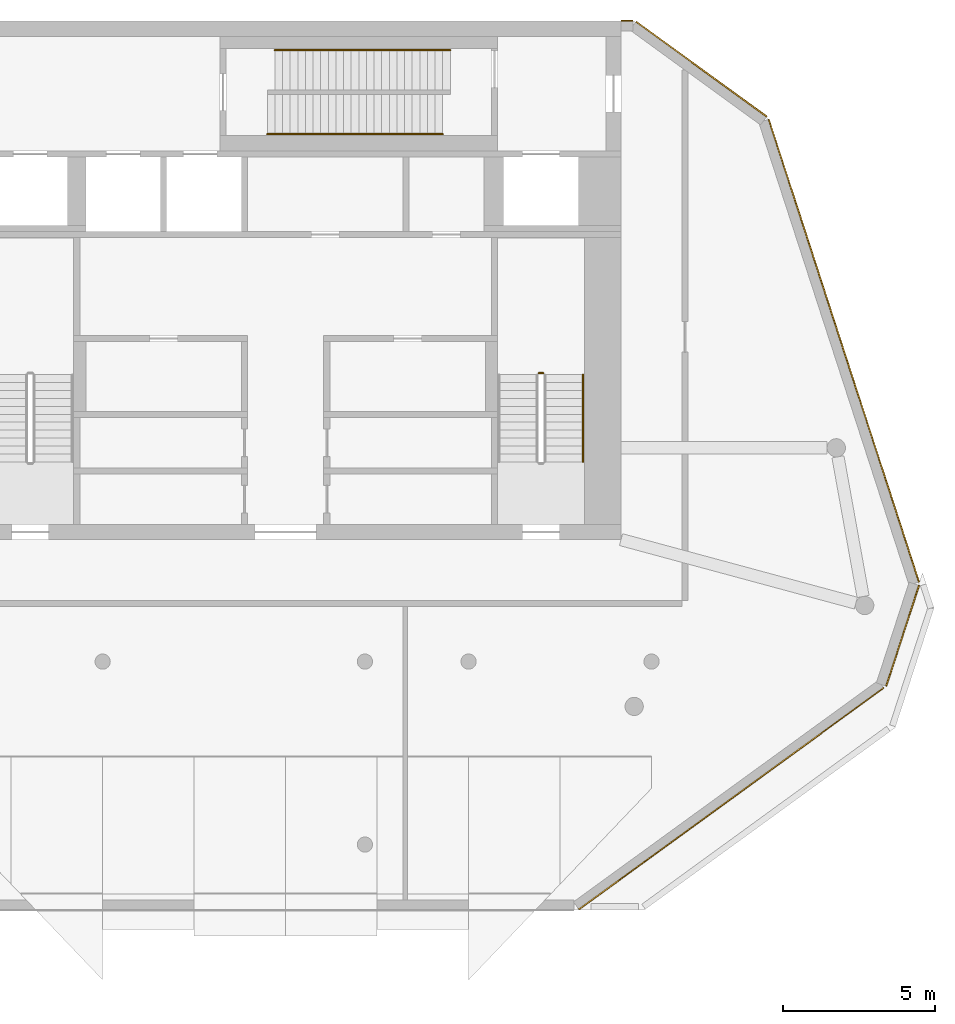
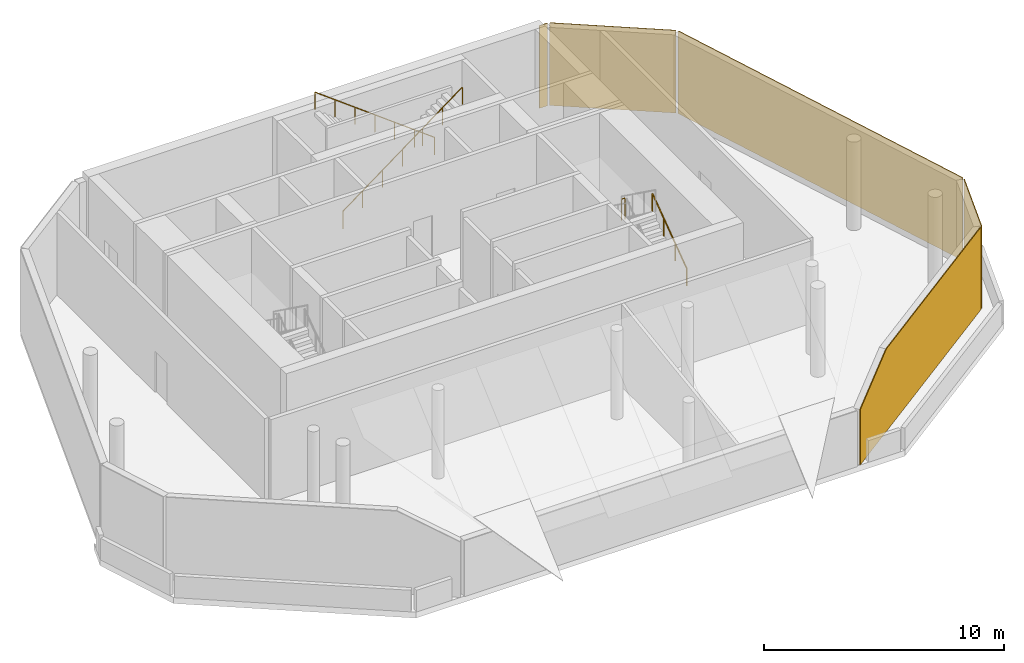
# One storey, part 7 of 7: 5 coverings, 4 railings.
"""IFC4 building model written with IfcOpenShell, lengths in metres."""

from ifc_helpers import new_model, si_unit, direction, frame, origin, origin_2d, place, context, subcontext, project, spatial, polyline, circle, outline, extrude, material, layer, layer_set, type_object, element, save


model = new_model("IFC4")

# Units and contexts
model_context = context("Model", 3, precision=1e-05, world=origin(), true_north=direction((0.0, 1.0)))
body_context = subcontext(model_context, "Body", "Model", "MODEL_VIEW")
ifc_project = project(units=[si_unit("LENGTHUNIT", "METRE"), si_unit("AREAUNIT", "SQUARE_METRE"), si_unit("VOLUMEUNIT", "CUBIC_METRE"), si_unit("PLANEANGLEUNIT", "RADIAN"), si_unit("MASSUNIT", "GRAM", prefix="KILO")], contexts=[model_context])

# Site, building, storey
site_placement = place(None, origin())
site = spatial("IfcSite", under=ifc_project, at=site_placement, CompositionType="ELEMENT")
building_placement = place(site_placement, origin())
building = spatial("IfcBuilding", under=site, at=building_placement, Name="White Candle Pilgrim Tower", CompositionType="ELEMENT")
storey_placement = place(building_placement, frame((0.0, 0.0, 333.199951171875)))
storey = spatial("IfcBuildingStorey", under=building, at=storey_placement, Name="L78", CompositionType="ELEMENT", Elevation=333.199951171875)

# Railings
ifc_material_1 = material(Name="Stainless steel", Category="steel")
railing_type_1 = type_object("IfcRailingType", Name="Stair guard stainless steel 1100 mm", PredefinedType="GUARDRAIL", material=ifc_material_1)
railing_1_placement = place(storey_placement, frame((78.449951171875, 76.4599609375, 2.25)))
element("IfcRailing", 1, at=railing_1_placement, inside=storey, type_object=railing_type_1, Name="L78 ST2 stair guard 2", PredefinedType="GUARDRAIL", context=body_context, shape_type="SweptSolid", body=[
    extrude(circle(Radius=0.02392578125, at=origin_2d()), frame((0.0, 0.0, 1.076171875), z_axis=(-1.0, 0.0, 0.0), x_axis=(0.0, -1.0, 0.0)), (0.0, 0.0, 1.0), 0.14990234375),
    extrude(circle(Radius=0.02099609375, at=origin_2d()), origin(), (0.0, 0.0, 1.0), 1.052001953125),
    extrude(circle(Radius=0.02099609375, at=origin_2d()), frame((-0.14990234375, 0.0, 0.0)), (0.0, 0.0, 1.0), 1.052001953125),
])
railing_type_2 = type_object("IfcRailingType", Name="Stair handrail stainless steel", PredefinedType="HANDRAIL", material=ifc_material_1)
railing_2_placement = place(storey_placement, frame((79.75, 73.550048828125, 0.1875)))
element("IfcRailing", 2, at=railing_2_placement, inside=storey, type_object=railing_type_2, Name="L78 ST2 stair handrail 1", PredefinedType="HANDRAIL", context=body_context, shape_type="SweptSolid", body=[
    extrude(circle(Radius=0.02392578125, at=origin_2d()), frame((0.0, 0.0, 0.8759765625), z_axis=(0.0, 0.811077065594, 0.584939307678), x_axis=(-1.0, 0.0, 0.0)), (0.0, 0.0, 1.0), 3.526123046875),
    extrude(circle(Radius=0.02099609375, at=origin_2d()), origin(), (0.0, 0.0, 1.0), 0.851806640625),
    extrude(circle(Radius=0.02099609375, at=origin_2d()), frame((0.0, 0.953369140625, 0.6875)), (0.0, 0.0, 1.0), 0.851806640625),
    extrude(circle(Radius=0.02099609375, at=origin_2d()), frame((0.0, 1.906494140625, 1.375)), (0.0, 0.0, 1.0), 0.851806640625),
    extrude(circle(Radius=0.02099609375, at=origin_2d()), frame((0.0, 2.85986328125, 2.0625)), (0.0, 0.0, 1.0), 0.851806640625),
])
railing_3_placement = place(storey_placement, frame((69.39990234375, 84.300048828125, 0.1875)))
element("IfcRailing", 3, at=railing_3_placement, inside=storey, type_object=railing_type_2, Name="L78 ST12 stair handrail 1", PredefinedType="HANDRAIL", context=body_context, shape_type="SweptSolid", body=[
    extrude(circle(Radius=0.02392578125, at=origin_2d()), frame((0.0, 0.0, 0.8759765625), z_axis=(0.8, 0.0, 0.6), x_axis=(0.0, 1.0, 0.0)), (0.0, 0.0, 1.0), 7.1875),
    extrude(circle(Radius=0.02099609375, at=origin_2d()), origin(), (0.0, 0.0, 1.0), 0.851806640625),
    extrude(circle(Radius=0.02099609375, at=origin_2d()), frame((0.958251953125, 0.0, 0.71875)), (0.0, 0.0, 1.0), 0.851806640625),
    extrude(circle(Radius=0.02099609375, at=origin_2d()), frame((1.916748046875, 0.0, 1.4375)), (0.0, 0.0, 1.0), 0.851806640625),
    extrude(circle(Radius=0.02099609375, at=origin_2d()), frame((2.875, 0.0, 2.15625)), (0.0, 0.0, 1.0), 0.851806640625),
    extrude(circle(Radius=0.02099609375, at=origin_2d()), frame((3.833251953125, 0.0, 2.875)), (0.0, 0.0, 1.0), 0.851806640625),
    extrude(circle(Radius=0.02099609375, at=origin_2d()), frame((4.791748046875, 0.0, 3.59375)), (0.0, 0.0, 1.0), 0.851806640625),
    extrude(circle(Radius=0.02099609375, at=origin_2d()), frame((5.75, 0.0, 4.3125)), (0.0, 0.0, 1.0), 0.851806640625),
])
railing_4_placement = place(storey_placement, frame((75.39990234375, 87.050048828125, 0.1875)))
element("IfcRailing", 4, at=railing_4_placement, inside=storey, type_object=railing_type_2, Name="L78 ST12 stair handrail 1", PredefinedType="HANDRAIL", context=body_context, shape_type="SweptSolid", body=[
    extrude(circle(Radius=0.02392578125, at=origin_2d()), frame((0.0, 0.0, 0.8759765625), z_axis=(-0.8, 0.0, 0.6), x_axis=(0.0, -1.0, 0.0)), (0.0, 0.0, 1.0), 7.1875),
    extrude(circle(Radius=0.02099609375, at=origin_2d()), origin(), (0.0, 0.0, 1.0), 0.851806640625),
    extrude(circle(Radius=0.02099609375, at=origin_2d()), frame((-0.958251953125, 0.0, 0.71875)), (0.0, 0.0, 1.0), 0.851806640625),
    extrude(circle(Radius=0.02099609375, at=origin_2d()), frame((-1.916748046875, 0.0, 1.4375)), (0.0, 0.0, 1.0), 0.851806640625),
    extrude(circle(Radius=0.02099609375, at=origin_2d()), frame((-2.875, 0.0, 2.15625)), (0.0, 0.0, 1.0), 0.851806640625),
    extrude(circle(Radius=0.02099609375, at=origin_2d()), frame((-3.833251953125, 0.0, 2.875)), (0.0, 0.0, 1.0), 0.851806640625),
    extrude(circle(Radius=0.02099609375, at=origin_2d()), frame((-4.791748046875, 0.0, 3.59375)), (0.0, 0.0, 1.0), 0.851806640625),
    extrude(circle(Radius=0.02099609375, at=origin_2d()), frame((-5.75, 0.0, 4.3125)), (0.0, 0.0, 1.0), 0.851806640625),
])

# Coverings
ifc_material_2 = material(Name="Zinc standing seam")
ifc_layer = layer(ifc_material_2, 0.0400390625)
ifc_layer_set = layer_set([ifc_layer], Name="Zinc wall cladding CL3 40")
covering_type = type_object("IfcCoveringType", Name="Zinc wall cladding CL3 40", PredefinedType="CLADDING", material=ifc_layer_set)
covering_1_placement = place(storey_placement, frame((79.627685546875, 58.86181640625, 2.814697265625), z_axis=(0.587780856645, -0.809020187961, 5.680642e-06), x_axis=(0.717661477873, 0.521408868198, 0.461621918178)))
element("IfcCovering", 5, at=covering_1_placement, inside=storey, type_object=covering_type, Name="Zinc wall cladding L78 SE", PredefinedType="CLADDING", context=body_context, shape_type="SweptSolid", body=[
    extrude(outline(polyline([(0.0, 0.0), (3.000840843832104, 0.0), (11.594392551753764, -4.471959965244101), (9.655603035539311, -8.197639105666944), (-1.2993259508478991, -2.496852572803287), (0.0, 0.0)])), origin(), (0.0, 0.0, -1.0), 0.0400390625),
])
covering_2_placement = place(storey_placement, frame((89.6767578125, 66.20068359375, 4.199951171875), z_axis=(-0.951051619901, 0.309032063521, 0.0), x_axis=(0.309032063521, 0.951051619901, 0.0)))
element("IfcCovering", 6, at=covering_2_placement, inside=storey, type_object=covering_type, Name="Zinc wall cladding L78 E chamfer", PredefinedType="CLADDING", context=body_context, shape_type="SweptSolid", body=[
    extrude(outline(polyline([(0.0, 0.0), (3.4752853705190505, 0.0), (3.4752853705190505, 4.199951171875001), (0.0, 4.199951171875001), (0.0, 0.0)])), origin(), (0.0, 0.0, -1.0), 0.0400390625),
])
covering_3_placement = place(storey_placement, frame((90.750732421875, 69.604736328125, 4.199951171875), z_axis=(-0.95105858267, -0.309010634655, 0.0), x_axis=(-0.309010634655, 0.95105858267, 0.0)))
element("IfcCovering", 7, at=covering_3_placement, inside=storey, type_object=covering_type, Name="Zinc wall cladding L78 ENE", PredefinedType="CLADDING", context=body_context, shape_type="SweptSolid", body=[
    extrude(outline(polyline([(0.0, 0.0), (15.95313218104456, 0.0), (15.95313218104456, 4.199951171875), (0.0, 4.199951171875), (0.0, 0.0)])), origin(), (0.0, 0.0, -1.0), 0.0400390625),
])
covering_4_placement = place(storey_placement, frame((85.762939453125, 84.857177734375, 4.199951171875), z_axis=(-0.5877658863, -0.809031064238, 0.0), x_axis=(-0.809031064238, 0.5877658863, 0.0)))
element("IfcCovering", 8, at=covering_4_placement, inside=storey, type_object=covering_type, Name="Zinc wall cladding L78 NE chamfer", PredefinedType="CLADDING", context=body_context, shape_type="SweptSolid", body=[
    extrude(outline(polyline([(0.0, 0.0), (5.295143457699109, 0.0), (5.295143457699109, 4.199951171875), (0.0, 4.199951171875), (0.0, 0.0)])), origin(), (0.0, 0.0, -1.0), 0.0400390625),
])
covering_5_placement = place(storey_placement, frame((81.385009765625, 88.0, 4.199951171875), z_axis=(0.0, -1.0, 0.0), x_axis=(-1.0, 0.0, 0.0)))
element("IfcCovering", 9, at=covering_5_placement, inside=storey, type_object=covering_type, Name="Zinc wall cladding L78 N", PredefinedType="CLADDING", context=body_context, shape_type="SweptSolid", body=[
    extrude(outline(polyline([(0.0, 0.0), (0.385009765625, 0.0), (0.385009765625, 4.199951171875), (0.0, 4.199951171875), (0.0, 0.0)])), origin(), (0.0, 0.0, -1.0), 0.0400390625),
])

save(model, "model.ifc")
